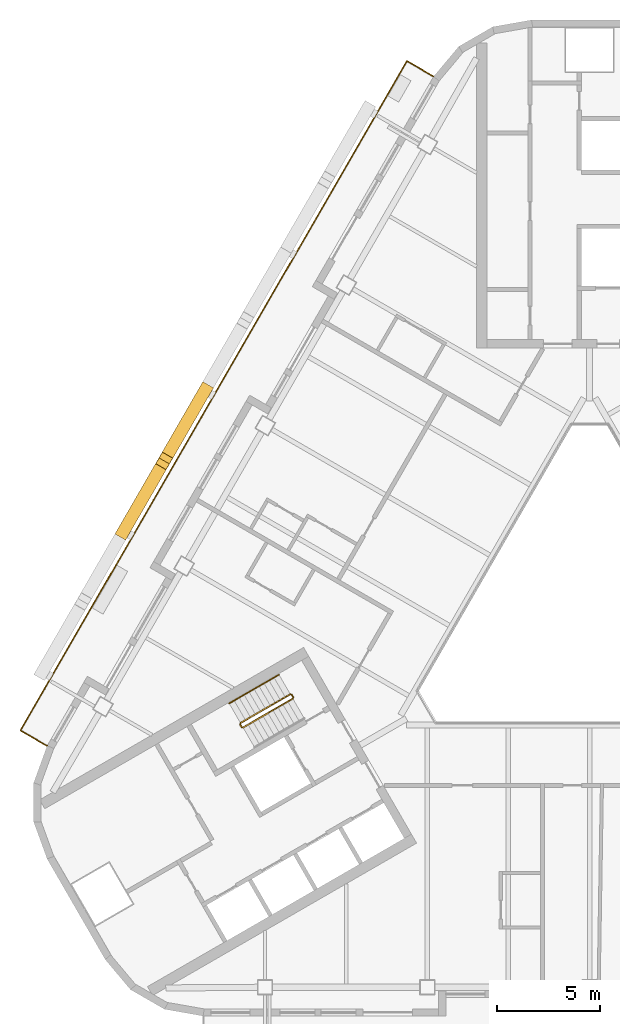
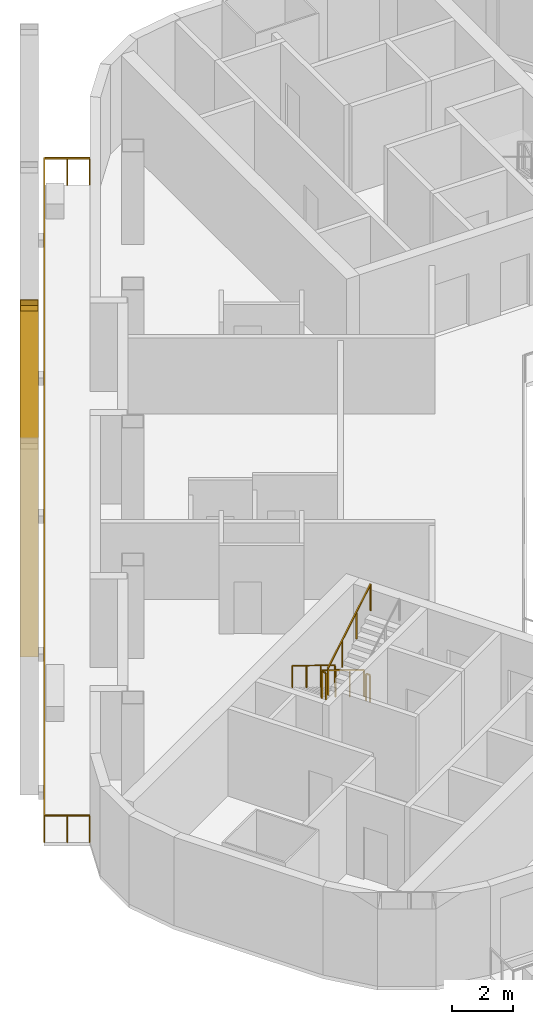
# One storey, part 10 of 14: 6 railings, 2 shading devices.
"""IFC4 building model written with IfcOpenShell, lengths in metres."""

from ifc_helpers import new_model, si_unit, direction, frame, origin, origin_2d, place, context, subcontext, project, spatial, rectangle, hollow_rectangle, circle, extrude, material, material_profile, profile_set, type_object, element, save


model = new_model("IFC4")

# Units and contexts
model_context = context("Model", 3, precision=1e-05, world=origin(), true_north=direction((0.0, 1.0)))
body_context = subcontext(model_context, "Body", "Model", "MODEL_VIEW")
ifc_project = project(units=[si_unit("LENGTHUNIT", "METRE"), si_unit("AREAUNIT", "SQUARE_METRE"), si_unit("VOLUMEUNIT", "CUBIC_METRE"), si_unit("PLANEANGLEUNIT", "RADIAN"), si_unit("MASSUNIT", "GRAM", prefix="KILO")], contexts=[model_context])

# Site, building, storey
site_placement = place(None, origin())
site = spatial("IfcSite", under=ifc_project, at=site_placement, CompositionType="ELEMENT")
building_placement = place(site_placement, origin())
building = spatial("IfcBuilding", under=site, at=building_placement, Name="Apuvela Tower Hotel", CompositionType="ELEMENT")
storey_placement = place(building_placement, frame((0.0, 0.0, 213.199951171875)))
storey = spatial("IfcBuildingStorey", under=building, at=storey_placement, Name="L52", CompositionType="ELEMENT", Elevation=213.199951171875)

# Railings
ifc_material_1 = material(Name="Steel S275 balustrade", Category="steel")
railing_type_1 = type_object("IfcRailingType", Name="COR-GUARD-1100", PredefinedType="GUARDRAIL", material=ifc_material_1)
railing_1_placement = place(storey_placement, frame((-14.569091796875, -3.9658203125, 0.168212890625)))
element("IfcRailing", 1, at=railing_1_placement, inside=storey, type_object=railing_type_1, Name="L52 ST2 stair guard 1", PredefinedType="GUARDRAIL", context=body_context, shape_type="SweptSolid", body=[
    extrude(rectangle(XDim=0.048095703125, YDim=0.048095703125, at=origin_2d()), frame((0.0, 0.0, 1.076171875), z_axis=(-0.742390482028, -0.42860119049, 0.514934356695), x_axis=(0.49998411664, -0.866034573852, 0.0)), (0.0, 0.0, 1.0), 3.26611328125),
    extrude(rectangle(XDim=0.0419921875, YDim=0.0419921875, at=origin_2d()), origin(), (0.0, 0.0, 1.0), 1.052001953125),
    extrude(rectangle(XDim=0.0419921875, YDim=0.0419921875, at=origin_2d()), frame((-0.808349609375, -0.466552734375, 0.560546875)), (0.0, 0.0, 1.0), 1.052001953125),
    extrude(rectangle(XDim=0.0419921875, YDim=0.0419921875, at=origin_2d()), frame((-1.616455078125, -0.933349609375, 1.121337890625)), (0.0, 0.0, 1.0), 1.052001953125),
    extrude(rectangle(XDim=0.0419921875, YDim=0.0419921875, at=origin_2d()), frame((-2.4248046875, -1.39990234375, 1.681884765625)), (0.0, 0.0, 1.0), 1.052001953125),
])
railing_2_placement = place(storey_placement, frame((-17.01220703125, -5.43408203125, 1.85009765625)))
element("IfcRailing", 2, at=railing_2_placement, inside=storey, type_object=railing_type_1, Name="L52 ST2 stair guard 2", PredefinedType="GUARDRAIL", context=body_context, shape_type="SweptSolid", body=[
    extrude(rectangle(XDim=0.048095703125, YDim=0.048095703125, at=origin_2d()), frame((0.0, 0.0, 1.076171875), z_axis=(0.499816412211, -0.866131372301, 0.0), x_axis=(0.866131372301, 0.499816412211, 0.0)), (0.0, 0.0, 1.0), 0.14990234375),
    extrude(rectangle(XDim=0.0419921875, YDim=0.0419921875, at=origin_2d()), origin(), (0.0, 0.0, 1.0), 1.052001953125),
    extrude(rectangle(XDim=0.0419921875, YDim=0.0419921875, at=origin_2d()), frame((0.074951171875, -0.1298828125, 0.0)), (0.0, 0.0, 1.0), 1.052001953125),
])
railing_3_placement = place(storey_placement, frame((-16.868896484375, -5.582275390625, 2.018310546875)))
element("IfcRailing", 3, at=railing_3_placement, inside=storey, type_object=railing_type_1, Name="L52 ST2 stair guard 3", PredefinedType="GUARDRAIL", context=body_context, shape_type="SweptSolid", body=[
    extrude(rectangle(XDim=0.048095703125, YDim=0.048095703125, at=origin_2d()), frame((0.0, 0.0, 1.076171875), z_axis=(0.74241905619, 0.428617687091, 0.514879426), x_axis=(-0.49998411664, 0.866034573852, 0.0)), (0.0, 0.0, 1.0), 3.26611328125),
    extrude(rectangle(XDim=0.0419921875, YDim=0.0419921875, at=origin_2d()), origin(), (0.0, 0.0, 1.0), 1.052001953125),
    extrude(rectangle(XDim=0.0419921875, YDim=0.0419921875, at=origin_2d()), frame((0.808349609375, 0.466552734375, 0.560546875)), (0.0, 0.0, 1.0), 1.052001953125),
    extrude(rectangle(XDim=0.0419921875, YDim=0.0419921875, at=origin_2d()), frame((1.616455078125, 0.933349609375, 1.12109375)), (0.0, 0.0, 1.0), 1.052001953125),
    extrude(rectangle(XDim=0.0419921875, YDim=0.0419921875, at=origin_2d()), frame((2.4248046875, 1.39990234375, 1.681640625)), (0.0, 0.0, 1.0), 1.052001953125),
])
railing_4_placement = place(storey_placement, frame((-14.500732421875, -3.984130859375, 0.0)))
element("IfcRailing", 4, at=railing_4_placement, inside=storey, type_object=railing_type_1, Name="L52 ST2 stair guard 4", PredefinedType="GUARDRAIL", context=body_context, shape_type="SweptSolid", body=[
    extrude(rectangle(XDim=0.048095703125, YDim=0.048095703125, at=origin_2d()), frame((0.0, 0.0, 1.076171875), z_axis=(0.499816412211, -0.866131372301, 0.0), x_axis=(0.866131372301, 0.499816412211, 0.0)), (0.0, 0.0, 1.0), 0.14990234375),
    extrude(rectangle(XDim=0.0419921875, YDim=0.0419921875, at=origin_2d()), origin(), (0.0, 0.0, 1.0), 1.052001953125),
    extrude(rectangle(XDim=0.0419921875, YDim=0.0419921875, at=origin_2d()), frame((0.074951171875, -0.1298828125, 0.0)), (0.0, 0.0, 1.0), 1.052001953125),
])
ifc_material_2 = material(Name="Stainless steel 316 handrail", Category="steel")
railing_type_2 = type_object("IfcRailingType", Name="COR-HANDRAIL-900", PredefinedType="HANDRAIL", material=ifc_material_2)
railing_5_placement = place(storey_placement, frame((-15.118896484375, -3.01318359375, 0.168212890625)))
element("IfcRailing", 5, at=railing_5_placement, inside=storey, type_object=railing_type_2, Name="L52 ST2 stair handrail 1", PredefinedType="HANDRAIL", context=body_context, shape_type="SweptSolid", body=[
    extrude(circle(Radius=0.02392578125, at=origin_2d()), frame((0.0, 0.0, 0.8759765625), z_axis=(-0.742424030051, -0.428577407461, 0.514905783049), x_axis=(0.49994636267, -0.866056369097, 0.0)), (0.0, 0.0, 1.0), 3.266357421875),
    extrude(rectangle(XDim=0.0419921875, YDim=0.0419921875, at=origin_2d()), origin(), (0.0, 0.0, 1.0), 0.851806640625),
    extrude(rectangle(XDim=0.0419921875, YDim=0.0419921875, at=origin_2d()), frame((-0.808349609375, -0.466552734375, 0.560546875)), (0.0, 0.0, 1.0), 0.851806640625),
    extrude(rectangle(XDim=0.0419921875, YDim=0.0419921875, at=origin_2d()), frame((-1.61669921875, -0.933349609375, 1.121337890625)), (0.0, 0.0, 1.0), 0.851806640625),
    extrude(rectangle(XDim=0.0419921875, YDim=0.0419921875, at=origin_2d()), frame((-2.425048828125, -1.39990234375, 1.681884765625)), (0.0, 0.0, 1.0), 0.851806640625),
])

# Shading devices
ifc_material_3 = material(Name="Aluminium 6063-T6, black anodised", Category="aluminium")
ifc_material_profile = material_profile(ifc_material_3, hollow_rectangle(XDim=0.60009765625, YDim=0.699951171875, WallThickness=0.011962890625, at=origin_2d()), Name="AL BOX 700x600x12")
ifc_profile_set = profile_set([ifc_material_profile], Name="Aluminium 6063-T6, black anodised")
shading_device_type = type_object("IfcShadingDeviceType", Name="ENV-FIN-700x600", PredefinedType="USERDEFINED", material=ifc_profile_set)
for number, where, z_axis, x_axis, name in (
    (6, (-18.732177734375, 10.81494140625, -0.099853515625), (-0.167620894857, -0.290337045103, 0.942129309515), (0.866032218625, -0.499988196164, 0.0), "Lattice fin NW517"),
    (7, (-22.68212890625, 3.973388671875, -0.099853515625), (0.167640025994, 0.290355011648, 0.942120368581), (-0.866020906874, 0.500007788796, 0.0), "Lattice fin NW518"),
):
    element("IfcShadingDevice", number, at=place(storey_placement, frame(where, z_axis=z_axis, x_axis=x_axis)), inside=storey, type_object=shading_device_type, Name=name, ObjectType="FIN", PredefinedType="USERDEFINED", context=body_context, shape_type="SweptSolid", body=[
        extrude(hollow_rectangle(XDim=0.60009765625, YDim=0.699951171875, WallThickness=0.011962890625, at=origin_2d()), origin(), (0.0, 0.0, 1.0), 11.78173828125),
    ])

# Railing
ifc_material_4 = material(Name="Stainless steel 316 rail with laminated glass infill", Category="steel")
railing_type_3 = type_object("IfcRailingType", Name="ENV-GUARD-1100", PredefinedType="GUARDRAIL", material=ifc_material_4)
railing_6_placement = place(storey_placement, frame((-7.59228515625, 26.110107421875, 0.0)))
element("IfcRailing", 8, at=railing_6_placement, inside=storey, type_object=railing_type_3, Name="Balcony guard NW L52", PredefinedType="GUARDRAIL", context=body_context, shape_type="SweptSolid", body=[
    extrude(rectangle(XDim=0.050048828125, YDim=0.050048828125, at=origin_2d()), frame((0.0, 0.0, 1.0751953125), z_axis=(-0.86599040064, 0.500060622324, 0.0), x_axis=(-0.500060622324, -0.86599040064, 0.0)), (0.0, 0.0, 1.0), 1.499755859375),
    extrude(rectangle(XDim=0.050048828125, YDim=0.050048828125, at=origin_2d()), frame((-1.298828125, 0.75, 1.0751953125), z_axis=(-0.500000437506, -0.86602515119, 0.0), x_axis=(0.86602515119, -0.500000437506, 0.0)), (0.0, 0.0, 1.0), 37.6318359375),
    extrude(rectangle(XDim=0.050048828125, YDim=0.050048828125, at=origin_2d()), frame((-20.11474609375, -31.840087890625, 1.0751953125), z_axis=(0.866031096941, -0.499990139034, 0.0), x_axis=(0.499990139034, 0.866031096941, 0.0)), (0.0, 0.0, 1.0), 1.5),
    extrude(rectangle(XDim=0.0400390625, YDim=0.0400390625, at=origin_2d()), origin(), (0.0, 0.0, 1.0), 1.050048828125),
    extrude(rectangle(XDim=0.0400390625, YDim=0.0400390625, at=origin_2d()), frame((-0.6494140625, 0.375, 0.0)), (0.0, 0.0, 1.0), 1.050048828125),
    extrude(rectangle(XDim=0.0400390625, YDim=0.0400390625, at=origin_2d()), frame((-1.298828125, 0.75, 0.0)), (0.0, 0.0, 1.0), 1.050048828125),
    extrude(rectangle(XDim=0.0400390625, YDim=0.0400390625, at=origin_2d()), frame((-1.88671875, -0.2685546875, 0.0)), (0.0, 0.0, 1.0), 1.050048828125),
    extrude(rectangle(XDim=0.0400390625, YDim=0.0400390625, at=origin_2d()), frame((-2.474853515625, -1.286865234375, 0.0)), (0.0, 0.0, 1.0), 1.050048828125),
    extrude(rectangle(XDim=0.0400390625, YDim=0.0400390625, at=origin_2d()), frame((-3.062744140625, -2.305419921875, 0.0)), (0.0, 0.0, 1.0), 1.050048828125),
    extrude(rectangle(XDim=0.0400390625, YDim=0.0400390625, at=origin_2d()), frame((-3.65087890625, -3.32373046875, 0.0)), (0.0, 0.0, 1.0), 1.050048828125),
    extrude(rectangle(XDim=0.0400390625, YDim=0.0400390625, at=origin_2d()), frame((-4.23876953125, -4.34228515625, 0.0)), (0.0, 0.0, 1.0), 1.050048828125),
    extrude(rectangle(XDim=0.0400390625, YDim=0.0400390625, at=origin_2d()), frame((-4.826904296875, -5.360595703125, 0.0)), (0.0, 0.0, 1.0), 1.050048828125),
    extrude(rectangle(XDim=0.0400390625, YDim=0.0400390625, at=origin_2d()), frame((-5.414794921875, -6.379150390625, 0.0)), (0.0, 0.0, 1.0), 1.050048828125),
    extrude(rectangle(XDim=0.0400390625, YDim=0.0400390625, at=origin_2d()), frame((-6.0029296875, -7.3974609375, 0.0)), (0.0, 0.0, 1.0), 1.050048828125),
    extrude(rectangle(XDim=0.0400390625, YDim=0.0400390625, at=origin_2d()), frame((-6.5908203125, -8.416015625, 0.0)), (0.0, 0.0, 1.0), 1.050048828125),
    extrude(rectangle(XDim=0.0400390625, YDim=0.0400390625, at=origin_2d()), frame((-7.1787109375, -9.434326171875, 0.0)), (0.0, 0.0, 1.0), 1.050048828125),
    extrude(rectangle(XDim=0.0400390625, YDim=0.0400390625, at=origin_2d()), frame((-7.766845703125, -10.452880859375, 0.0)), (0.0, 0.0, 1.0), 1.050048828125),
    extrude(rectangle(XDim=0.0400390625, YDim=0.0400390625, at=origin_2d()), frame((-8.354736328125, -11.47119140625, 0.0)), (0.0, 0.0, 1.0), 1.050048828125),
    extrude(rectangle(XDim=0.0400390625, YDim=0.0400390625, at=origin_2d()), frame((-8.94287109375, -12.48974609375, 0.0)), (0.0, 0.0, 1.0), 1.050048828125),
    extrude(rectangle(XDim=0.0400390625, YDim=0.0400390625, at=origin_2d()), frame((-9.53076171875, -13.508056640625, 0.0)), (0.0, 0.0, 1.0), 1.050048828125),
    extrude(rectangle(XDim=0.0400390625, YDim=0.0400390625, at=origin_2d()), frame((-10.118896484375, -14.526611328125, 0.0)), (0.0, 0.0, 1.0), 1.050048828125),
    extrude(rectangle(XDim=0.0400390625, YDim=0.0400390625, at=origin_2d()), frame((-10.706787109375, -15.544921875, 0.0)), (0.0, 0.0, 1.0), 1.050048828125),
    extrude(rectangle(XDim=0.0400390625, YDim=0.0400390625, at=origin_2d()), frame((-11.294677734375, -16.5634765625, 0.0)), (0.0, 0.0, 1.0), 1.050048828125),
    extrude(rectangle(XDim=0.0400390625, YDim=0.0400390625, at=origin_2d()), frame((-11.8828125, -17.58203125, 0.0)), (0.0, 0.0, 1.0), 1.050048828125),
    extrude(rectangle(XDim=0.0400390625, YDim=0.0400390625, at=origin_2d()), frame((-12.470703125, -18.600341796875, 0.0)), (0.0, 0.0, 1.0), 1.050048828125),
    extrude(rectangle(XDim=0.0400390625, YDim=0.0400390625, at=origin_2d()), frame((-13.058837890625, -19.618896484375, 0.0)), (0.0, 0.0, 1.0), 1.050048828125),
    extrude(rectangle(XDim=0.0400390625, YDim=0.0400390625, at=origin_2d()), frame((-13.646728515625, -20.63720703125, 0.0)), (0.0, 0.0, 1.0), 1.050048828125),
    extrude(rectangle(XDim=0.0400390625, YDim=0.0400390625, at=origin_2d()), frame((-14.23486328125, -21.65576171875, 0.0)), (0.0, 0.0, 1.0), 1.050048828125),
    extrude(rectangle(XDim=0.0400390625, YDim=0.0400390625, at=origin_2d()), frame((-14.82275390625, -22.674072265625, 0.0)), (0.0, 0.0, 1.0), 1.050048828125),
    extrude(rectangle(XDim=0.0400390625, YDim=0.0400390625, at=origin_2d()), frame((-15.41064453125, -23.692626953125, 0.0)), (0.0, 0.0, 1.0), 1.050048828125),
    extrude(rectangle(XDim=0.0400390625, YDim=0.0400390625, at=origin_2d()), frame((-15.998779296875, -24.7109375, 0.0)), (0.0, 0.0, 1.0), 1.050048828125),
    extrude(rectangle(XDim=0.0400390625, YDim=0.0400390625, at=origin_2d()), frame((-16.586669921875, -25.7294921875, 0.0)), (0.0, 0.0, 1.0), 1.050048828125),
    extrude(rectangle(XDim=0.0400390625, YDim=0.0400390625, at=origin_2d()), frame((-17.1748046875, -26.747802734375, 0.0)), (0.0, 0.0, 1.0), 1.050048828125),
    extrude(rectangle(XDim=0.0400390625, YDim=0.0400390625, at=origin_2d()), frame((-17.7626953125, -27.766357421875, 0.0)), (0.0, 0.0, 1.0), 1.050048828125),
    extrude(rectangle(XDim=0.0400390625, YDim=0.0400390625, at=origin_2d()), frame((-18.350830078125, -28.78466796875, 0.0)), (0.0, 0.0, 1.0), 1.050048828125),
    extrude(rectangle(XDim=0.0400390625, YDim=0.0400390625, at=origin_2d()), frame((-18.938720703125, -29.80322265625, 0.0)), (0.0, 0.0, 1.0), 1.050048828125),
    extrude(rectangle(XDim=0.0400390625, YDim=0.0400390625, at=origin_2d()), frame((-19.52685546875, -30.821533203125, 0.0)), (0.0, 0.0, 1.0), 1.050048828125),
    extrude(rectangle(XDim=0.0400390625, YDim=0.0400390625, at=origin_2d()), frame((-20.11474609375, -31.840087890625, 0.0)), (0.0, 0.0, 1.0), 1.050048828125),
    extrude(rectangle(XDim=0.0400390625, YDim=0.0400390625, at=origin_2d()), frame((-19.46533203125, -32.215087890625, 0.0)), (0.0, 0.0, 1.0), 1.050048828125),
    extrude(rectangle(XDim=0.0400390625, YDim=0.0400390625, at=origin_2d()), frame((-18.815673828125, -32.590087890625, 0.0)), (0.0, 0.0, 1.0), 1.050048828125),
])

save(model, "model.ifc")
